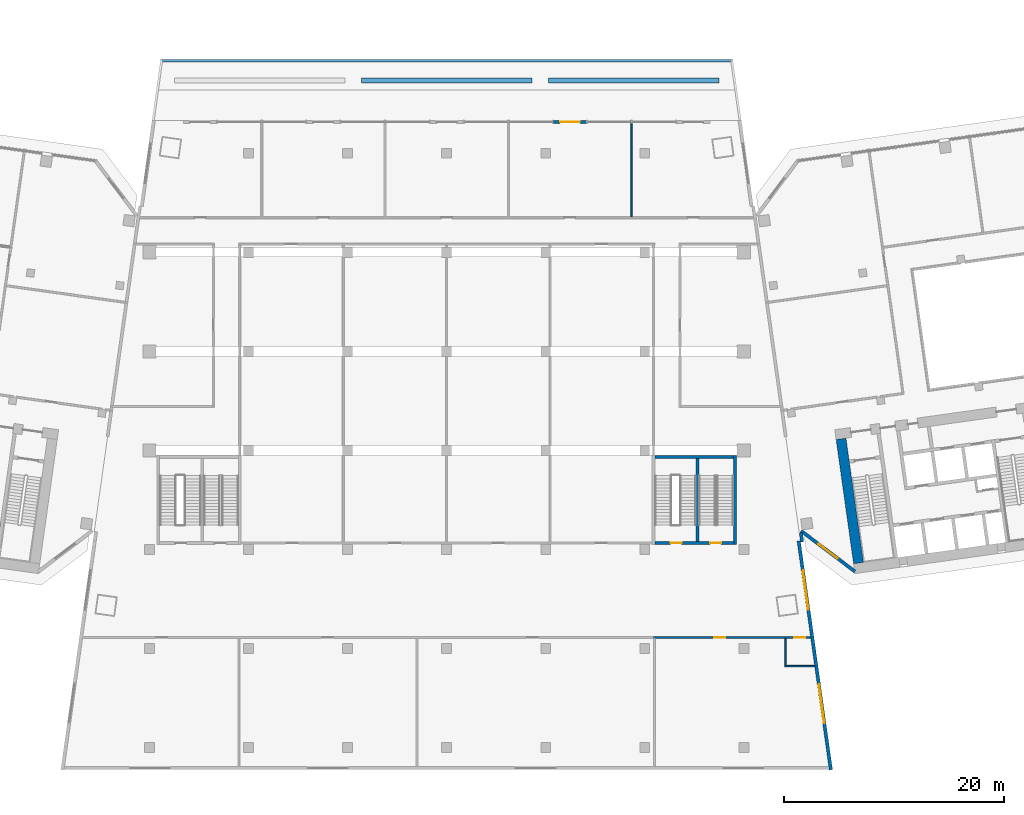
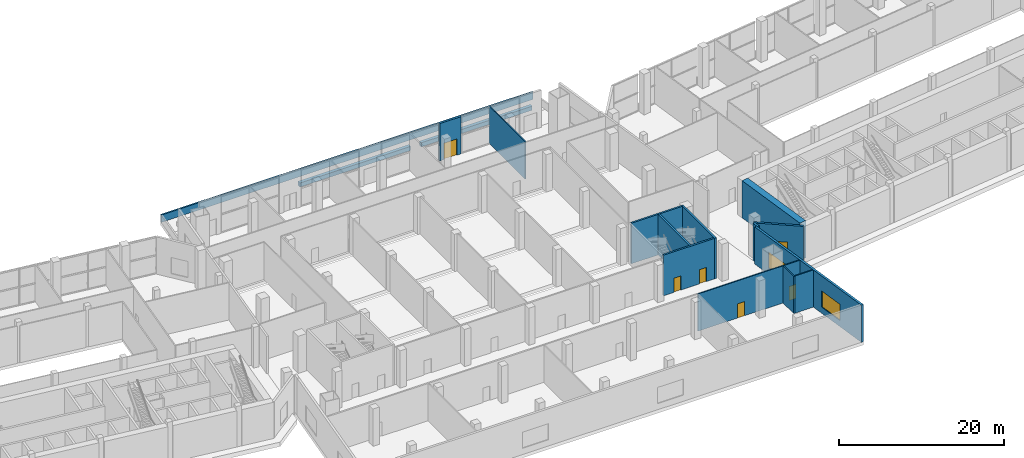
# One storey, part 15 of 24: 16 walls, 5 doors, 3 windows, 8 openings.
"""IFC4 building model written with IfcOpenShell, lengths in metres."""

from ifc_helpers import new_model, si_unit, direction, frame, frame_2d, origin, place, context, subcontext, project, spatial, rectangle, extrude, material, layer, layer_set, type_object, element, fill, save


model = new_model("IFC4")

# Units and contexts
model_context = context("Model", 3, precision=1e-05, world=origin(), true_north=direction((0.0, 1.0)))
body_context = subcontext(model_context, "Body", "Model", "MODEL_VIEW")
ifc_project = project(units=[si_unit("LENGTHUNIT", "METRE"), si_unit("AREAUNIT", "SQUARE_METRE"), si_unit("VOLUMEUNIT", "CUBIC_METRE"), si_unit("PLANEANGLEUNIT", "RADIAN"), si_unit("MASSUNIT", "GRAM", prefix="KILO")], contexts=[model_context])

# Site, building, storey
site_placement = place(None, origin())
site = spatial("IfcSite", under=ifc_project, at=site_placement, CompositionType="ELEMENT")
building_placement = place(site_placement, origin())
building = spatial("IfcBuilding", under=site, at=building_placement, Name="Mirante Cascada Hotel Towers", CompositionType="ELEMENT")
storey_placement = place(building_placement, frame((0.0, 0.0, 17.5)))
storey = spatial("IfcBuildingStorey", under=building, at=storey_placement, Name="L02", CompositionType="ELEMENT", Elevation=17.5)

# Walls
ifc_material_1 = material(Name="Masonry block", Category="masonry")
ifc_layer_1 = layer(ifc_material_1, 0.15)
ifc_layer_set_1 = layer_set([ifc_layer_1], Name="Partition 150 block")
wall_type_1 = type_object("IfcWallType", Name="Partition 150 block", PredefinedType="PARTITIONING", material=ifc_layer_set_1)
wall_1_placement = place(storey_placement, frame((16.8068, 12.225, 0.0), z_axis=(0.0, 0.0, 1.0), x_axis=(0.0, 1.0, 0.0)))
element("IfcWall", 1, at=wall_1_placement, inside=storey, type_object=wall_type_1, Name="Partition P L02", PredefinedType="PARTITIONING", context=body_context, shape_type="SweptSolid", body=[
    extrude(rectangle(XDim=8.775, YDim=0.15, at=frame_2d((4.3875, 0.0))), origin(), (0.0, 0.0, 1.0), 5.5),
])
ifc_material_2 = material(Name="Precast concrete C40/50", Category="concrete")
ifc_layer_2 = layer(ifc_material_2, 0.45)
ifc_layer_set_2 = layer_set([ifc_layer_2], Name="Planter wall 450 concrete C40/50")
wall_type_2 = type_object("IfcWallType", Name="Planter wall 450 concrete C40/50", PredefinedType="PARAPET", material=ifc_layer_set_2)
wall_2_placement = place(storey_placement, frame((-7.749, 24.6, 0.0), z_axis=(0.0, 0.0, 1.0), x_axis=(1.0, 0.0, 0.0)))
element("IfcWall", 2, at=wall_2_placement, inside=storey, type_object=wall_type_2, Name="PLANTER podium L01 bed 1.2", PredefinedType="PARAPET", context=body_context, shape_type="SweptSolid", body=[
    extrude(rectangle(XDim=15.498, YDim=0.45, at=frame_2d((7.749, 0.0))), origin(), (0.0, 0.0, 1.0), 0.6),
])
wall_3_placement = place(storey_placement, frame((9.249, 24.6, 0.0), z_axis=(0.0, 0.0, 1.0), x_axis=(1.0, 0.0, 0.0)))
element("IfcWall", 3, at=wall_3_placement, inside=storey, type_object=wall_type_2, Name="PLANTER podium L01 bed 1.3", PredefinedType="PARAPET", context=body_context, shape_type="SweptSolid", body=[
    extrude(rectangle(XDim=15.4979, YDim=0.45, at=frame_2d((7.749, 0.0))), origin(), (0.0, 0.0, 1.0), 0.6),
])

# Wall, opening, window
ifc_material_3 = material(Name="Precast concrete C40/50", Category="concrete")
ifc_layer_3 = layer(ifc_material_3, 0.3)
ifc_layer_set_3 = layer_set([ifc_layer_3], Name="Precast concrete C40/50 cladding wall 300")
wall_type_3 = type_object("IfcWallType", Name="Precast concrete C40/50 cladding wall 300", PredefinedType="STANDARD", material=ifc_layer_set_3)
wall_4_placement = place(storey_placement, frame((32.2074, -16.3138, 0.0), z_axis=(0.0, 0.0, 1.0), x_axis=(0.7986362, -0.6018141, 0.0)))
wall_4 = element("IfcWall", 4, at=wall_4_placement, inside=storey, type_object=wall_type_3, Name="Corner cladding wall T2 L02 inner rear", PredefinedType="STANDARD", context=body_context, shape_type="SweptSolid", body=[
    extrude(rectangle(XDim=6.1157, YDim=0.3, at=frame_2d((3.0578, 0.0))), origin(), (0.0, 0.0, 1.0), 5.5),
])
opening_1_placement = place(wall_4_placement, frame((1.9578, 0.0, 0.6)))
opening_1 = element("IfcOpeningElement", 5, at=opening_1_placement, cuts=wall_4, Name="Opening W2-02-05", PredefinedType="OPENING", context=body_context, shape_type="SweptSolid", body=[
    extrude(rectangle(XDim=2.2, YDim=2.4, at=frame_2d((1.1, 1.2))), frame((0.0, 0.15, 0.0), z_axis=(0.0, -1.0, 0.0), x_axis=(1.0, 0.0, 0.0)), (0.0, 0.0, 1.0), 0.3),
])
ifc_material_4 = material(Name="Aluminium frame with clear double glazing", Category="aluminium")
window_type_1 = type_object("IfcWindowType", Name="Corner suite window 2200x2400", PartitioningType="DOUBLE_PANEL_VERTICAL", PredefinedType="WINDOW", material=ifc_material_4)
window_1_placement = place(opening_1_placement, origin())
window_1 = element("IfcWindow", 6, at=window_1_placement, inside=storey, type_object=window_type_1, Name="Window W2-02-05", OverallHeight=2.4, OverallWidth=2.2, PartitioningType="SINGLE_PANEL", PredefinedType="WINDOW", context=body_context, shape_type="SweptSolid", body=[
    extrude(rectangle(XDim=2.2, YDim=2.4, at=frame_2d((1.1, 1.2))), frame((0.0, 0.03, 0.0), z_axis=(0.0, -1.0, 0.0), x_axis=(1.0, 0.0, 0.0)), (0.0, 0.0, 1.0), 0.06),
])
fill(opening_1, window_1)

# Wall, openings, windows
wall_5_placement = place(storey_placement, frame((34.911, -38.0209, 0.0), z_axis=(0.0, 0.0, 1.0), x_axis=(-0.1391749, 0.9902678, 0.0)))
wall_5 = element("IfcWall", 7, at=wall_5_placement, inside=storey, type_object=wall_type_3, Name="Podium cladding wall L02 P:L02:2", PredefinedType="STANDARD", context=body_context, shape_type="SweptSolid", body=[
    extrude(rectangle(XDim=21.0052, YDim=0.3, at=frame_2d((10.5026, 0.0))), origin(), (0.0, 0.0, 1.0), 5.5),
])
opening_2_placement = place(wall_5_placement, frame((4.259, 0.0, 0.9)))
opening_2 = element("IfcOpeningElement", 8, at=opening_2_placement, cuts=wall_5, Name="Opening WP-02-05", PredefinedType="OPENING", context=body_context, shape_type="SweptSolid", body=[
    extrude(rectangle(XDim=3.6, YDim=2.4, at=frame_2d((1.8, 1.2))), frame((0.0, 0.15, 0.0), z_axis=(0.0, -1.0, 0.0), x_axis=(1.0, 0.0, 0.0)), (0.0, 0.0, 1.0), 0.3),
])
opening_3_placement = place(wall_5_placement, frame((14.7059, 0.0, 0.9)))
opening_3 = element("IfcOpeningElement", 9, at=opening_3_placement, cuts=wall_5, Name="Opening WP-02-06", PredefinedType="OPENING", context=body_context, shape_type="SweptSolid", body=[
    extrude(rectangle(XDim=3.6, YDim=2.4, at=frame_2d((1.8, 1.2))), frame((0.0, 0.15, 0.0), z_axis=(0.0, -1.0, 0.0), x_axis=(1.0, 0.0, 0.0)), (0.0, 0.0, 1.0), 0.3),
])
ifc_material_5 = material(Name="Aluminium frame with clear double glazing", Category="aluminium")
window_type_2 = type_object("IfcWindowType", Name="Podium punched window 3600x2400", PartitioningType="DOUBLE_PANEL_VERTICAL", PredefinedType="WINDOW", material=ifc_material_5)
window_2_placement = place(opening_2_placement, origin())
window_2 = element("IfcWindow", 10, at=window_2_placement, inside=storey, type_object=window_type_2, Name="Window WP-02-05", OverallHeight=2.4, OverallWidth=3.6, PartitioningType="SINGLE_PANEL", PredefinedType="WINDOW", context=body_context, shape_type="SweptSolid", body=[
    extrude(rectangle(XDim=3.6, YDim=2.4, at=frame_2d((1.8, 1.2))), frame((0.0, 0.03, 0.0), z_axis=(0.0, -1.0, 0.0), x_axis=(1.0, 0.0, 0.0)), (0.0, 0.0, 1.0), 0.06),
])
fill(opening_2, window_2)
window_3_placement = place(opening_3_placement, origin())
window_3 = element("IfcWindow", 11, at=window_3_placement, inside=storey, type_object=window_type_2, Name="Window WP-02-06", OverallHeight=2.4, OverallWidth=3.6, PartitioningType="SINGLE_PANEL", PredefinedType="WINDOW", context=body_context, shape_type="SweptSolid", body=[
    extrude(rectangle(XDim=3.6, YDim=2.4, at=frame_2d((1.8, 1.2))), frame((0.0, 0.03, 0.0), z_axis=(0.0, -1.0, 0.0), x_axis=(1.0, 0.0, 0.0)), (0.0, 0.0, 1.0), 0.06),
])
fill(opening_3, window_3)

# Wall, opening, door
wall_6_placement = place(storey_placement, frame((12.705, 20.85, 0.0), z_axis=(0.0, 0.0, 1.0), x_axis=(-1.0, 0.0, 0.0)))
wall_6 = element("IfcWall", 12, at=wall_6_placement, inside=storey, type_object=wall_type_3, Name="Entrance pier wall L02 P:L02:4:3", PredefinedType="STANDARD", context=body_context, shape_type="SweptSolid", body=[
    extrude(rectangle(XDim=3.0, YDim=0.3, at=frame_2d((1.5, 0.0))), origin(), (0.0, 0.0, 1.0), 5.5),
])
opening_4_placement = place(wall_6_placement, frame((0.6, 0.0, 0.0)))
opening_4 = element("IfcOpeningElement", 13, at=opening_4_placement, cuts=wall_6, Name="Opening DP-02-92", PredefinedType="OPENING", context=body_context, shape_type="SweptSolid", body=[
    extrude(rectangle(XDim=1.8, YDim=2.4, at=frame_2d((0.9, 1.2))), frame((0.0, 0.15, 0.0), z_axis=(0.0, -1.0, 0.0), x_axis=(1.0, 0.0, 0.0)), (0.0, 0.0, 1.0), 0.3),
])
ifc_material_6 = material(Name="Aluminium frame with clear laminated glazing", Category="aluminium")
door_type_1 = type_object("IfcDoorType", Name="Terrace double door 1800x2400", OperationType="DOUBLE_DOOR_SINGLE_SWING", PredefinedType="DOOR", material=ifc_material_6)
door_1_placement = place(opening_4_placement, origin())
door_1 = element("IfcDoor", 14, at=door_1_placement, inside=storey, type_object=door_type_1, Name="Meeting room door DP-02-92", OperationType="DOUBLE_DOOR_SINGLE_SWING", OverallHeight=2.4, OverallWidth=1.8, PredefinedType="DOOR", context=body_context, shape_type="SweptSolid", body=[
    extrude(rectangle(XDim=0.895, YDim=2.4, at=frame_2d((0.4475, 1.2))), frame((0.0, 0.025, 0.0), z_axis=(0.0, -1.0, 0.0), x_axis=(1.0, 0.0, 0.0)), (0.0, 0.0, 1.0), 0.05),
    extrude(rectangle(XDim=0.895, YDim=2.4, at=frame_2d((1.3525, 1.2))), frame((0.0, 0.025, 0.0), z_axis=(0.0, -1.0, 0.0), x_axis=(1.0, 0.0, 0.0)), (0.0, 0.0, 1.0), 0.05),
])
fill(opening_4, door_1)

# Walls
wall_7_placement = place(storey_placement, frame((32.1838, -16.4609, 0.0), z_axis=(0.0, 0.0, 1.0), x_axis=(0.1391437, -0.9902722, 0.0)))
element("IfcWall", 15, at=wall_7_placement, inside=storey, type_object=wall_type_3, Name="Corner closure wall L02 2.1", PredefinedType="STANDARD", context=body_context, shape_type="SweptSolid", body=[
    extrude(rectangle(XDim=0.8545, YDim=0.3, at=frame_2d((0.4272, 0.0))), origin(), (0.0, 0.0, 1.0), 5.5),
])
ifc_material_7 = material(Name="Concrete C50/60", Category="concrete")
ifc_layer_4 = layer(ifc_material_7, 0.9)
ifc_layer_set_4 = layer_set([ifc_layer_4], Name="RC core wall 900 C50/60")
wall_type_4 = type_object("IfcWallType", Name="RC core wall 900 C50/60", PredefinedType="SHEAR", material=ifc_layer_set_4)
wall_8_placement = place(storey_placement, frame((37.4209, -19.2349, 0.0), z_axis=(0.0, 0.0, 1.0), x_axis=(-0.1391761, 0.9902677, 0.0)))
element("IfcWall", 16, at=wall_8_placement, inside=storey, type_object=wall_type_4, Name="Core wall T2:L02:3", PredefinedType="SHEAR", context=body_context, shape_type="SweptSolid", body=[
    extrude(rectangle(XDim=11.3999, YDim=0.9, at=frame_2d((5.7, 0.0))), origin(), (0.0, 0.0, 1.0), 5.5),
])

# Wall, openings, doors
ifc_material_8 = material(Name="Concrete C35/45", Category="concrete")
ifc_layer_5 = layer(ifc_material_8, 0.25)
ifc_layer_set_5 = layer_set([ifc_layer_5], Name="Stair wall 250 concrete C35/45 EI 120")
wall_type_5 = type_object("IfcWallType", Name="Stair wall 250 concrete C35/45 EI 120", PredefinedType="STANDARD", material=ifc_layer_set_5)
wall_9_placement = place(storey_placement, frame((18.915, -17.4, 0.0), z_axis=(0.0, 0.0, 1.0), x_axis=(1.0, 0.0, 0.0)))
wall_9 = element("IfcWall", 17, at=wall_9_placement, inside=storey, type_object=wall_type_5, Name="Stair wall P L02", PredefinedType="STANDARD", context=body_context, shape_type="SweptSolid", body=[
    extrude(rectangle(XDim=7.17, YDim=0.25, at=frame_2d((3.585, 0.0))), origin(), (0.0, 0.0, 1.0), 6.0),
])
opening_5_placement = place(wall_9_placement, frame((5.0275, 0.0, 0.0)))
opening_5 = element("IfcOpeningElement", 18, at=opening_5_placement, cuts=wall_9, Name="Opening DP-L02-03", PredefinedType="OPENING", context=body_context, shape_type="SweptSolid", body=[
    extrude(rectangle(XDim=1.0, YDim=2.1, at=frame_2d((0.5, 1.05))), frame((0.0, 0.125, 0.0), z_axis=(0.0, -1.0, 0.0), x_axis=(1.0, 0.0, 0.0)), (0.0, 0.0, 1.0), 0.25),
])
opening_6_placement = place(wall_9_placement, frame((1.4425, 0.0, 0.0)))
opening_6 = element("IfcOpeningElement", 19, at=opening_6_placement, cuts=wall_9, Name="Opening DP-L02-04", PredefinedType="OPENING", context=body_context, shape_type="SweptSolid", body=[
    extrude(rectangle(XDim=1.0, YDim=2.1, at=frame_2d((0.5, 1.05))), frame((0.0, 0.125, 0.0), z_axis=(0.0, -1.0, 0.0), x_axis=(1.0, 0.0, 0.0)), (0.0, 0.0, 1.0), 0.25),
])
ifc_material_9 = material(Name="Hollow metal fire door leaf")
door_type_2 = type_object("IfcDoorType", Name="Fire door 1000x2100 FD60", OperationType="NOTDEFINED", PredefinedType="DOOR", material=ifc_material_9)
door_2_placement = place(opening_5_placement, origin())
door_2 = element("IfcDoor", 20, at=door_2_placement, inside=storey, type_object=door_type_2, Name="Door DP-L02-03", OperationType="SINGLE_SWING_LEFT", OverallHeight=2.1, OverallWidth=1.0, PredefinedType="DOOR", context=body_context, shape_type="SweptSolid", body=[
    extrude(rectangle(XDim=1.0, YDim=2.1, at=frame_2d((0.5, 1.05))), frame((0.0, 0.025, 0.0), z_axis=(0.0, -1.0, 0.0), x_axis=(1.0, 0.0, 0.0)), (0.0, 0.0, 1.0), 0.05),
])
fill(opening_5, door_2)
door_3_placement = place(opening_6_placement, origin())
door_3 = element("IfcDoor", 21, at=door_3_placement, inside=storey, type_object=door_type_2, Name="Door DP-L02-04", OperationType="SINGLE_SWING_RIGHT", OverallHeight=2.1, OverallWidth=1.0, PredefinedType="DOOR", context=body_context, shape_type="SweptSolid", body=[
    extrude(rectangle(XDim=1.0, YDim=2.1, at=frame_2d((0.5, 1.05))), frame((0.0, 0.025, 0.0), z_axis=(0.0, -1.0, 0.0), x_axis=(1.0, 0.0, 0.0)), (0.0, 0.0, 1.0), 0.05),
])
fill(opening_6, door_3)

# Walls
wall_10_placement = place(storey_placement, frame((18.925, -9.6, 0.0), z_axis=(0.0, 0.0, 1.0), x_axis=(1.0, 0.0, 0.0)))
element("IfcWall", 22, at=wall_10_placement, inside=storey, type_object=wall_type_5, Name="Stair wall P L02", PredefinedType="STANDARD", context=body_context, shape_type="SweptSolid", body=[
    extrude(rectangle(XDim=7.15, YDim=0.25, at=frame_2d((3.575, 0.0))), origin(), (0.0, 0.0, 1.0), 6.0),
])
wall_11_placement = place(storey_placement, frame((26.2, -17.525, 0.0), z_axis=(0.0, 0.0, 1.0), x_axis=(0.0, 1.0, 0.0)))
element("IfcWall", 23, at=wall_11_placement, inside=storey, type_object=wall_type_5, Name="Stair wall P L02", PredefinedType="STANDARD", context=body_context, shape_type="SweptSolid", body=[
    extrude(rectangle(XDim=8.05, YDim=0.25, at=frame_2d((4.025, 0.0))), origin(), (0.0, 0.0, 1.0), 6.0),
])
wall_12_placement = place(storey_placement, frame((22.8, -17.275, 0.0), z_axis=(0.0, 0.0, 1.0), x_axis=(0.0, 1.0, 0.0)))
element("IfcWall", 24, at=wall_12_placement, inside=storey, type_object=wall_type_5, Name="Stair wall P L02", PredefinedType="STANDARD", context=body_context, shape_type="SweptSolid", body=[
    extrude(rectangle(XDim=7.55, YDim=0.25, at=frame_2d((3.775, 0.0))), origin(), (0.0, 0.0, 1.0), 6.0),
])
ifc_material_10 = material(Name="Precast concrete C40/50", Category="concrete")
ifc_layer_6 = layer(ifc_material_10, 0.2)
ifc_layer_set_6 = layer_set([ifc_layer_6], Name="Terrace parapet wall 200 concrete C40/50")
wall_type_6 = type_object("IfcWallType", Name="Terrace parapet wall 200 concrete C40/50", PredefinedType="PARAPET", material=ifc_layer_set_6)
wall_13_placement = place(storey_placement, frame((25.9946, 26.4, 0.0), z_axis=(0.0, 0.0, 1.0), x_axis=(-1.0, 0.0, 0.0)))
element("IfcWall", 25, at=wall_13_placement, inside=storey, type_object=wall_type_6, Name="Terrace parapet podium L01 1.3.1", PredefinedType="PARAPET", context=body_context, shape_type="SweptSolid", body=[
    extrude(rectangle(XDim=51.9892, YDim=0.2, at=frame_2d((25.9946, 0.0))), origin(), (0.0, 0.0, 1.0), 1.1),
])
ifc_material_11 = material(Name="Masonry block", Category="masonry")
ifc_layer_7 = layer(ifc_material_11, 0.15)
ifc_layer_set_7 = layer_set([ifc_layer_7], Name="Wet room wall 150 block")
wall_type_7 = type_object("IfcWallType", Name="Wet room wall 150 block", PredefinedType="PARTITIONING", material=ifc_layer_set_7)
wall_14_placement = place(storey_placement, frame((30.848, -28.6, 0.0), z_axis=(0.0, 0.0, 1.0), x_axis=(1.0, 0.0, 0.0)))
element("IfcWall", 26, at=wall_14_placement, inside=storey, type_object=wall_type_7, Name="Wet room wall P L02", PredefinedType="PARTITIONING", context=body_context, shape_type="SweptSolid", body=[
    extrude(rectangle(XDim=2.5875, YDim=0.15, at=frame_2d((1.2938, 0.0))), origin(), (0.0, 0.0, 1.0), 5.5),
])

# Wall, openings, doors
wall_15_placement = place(storey_placement, frame((18.7932, -26.0, 0.0), z_axis=(0.0, 0.0, 1.0), x_axis=(1.0, 0.0, 0.0)))
wall_15 = element("IfcWall", 27, at=wall_15_placement, inside=storey, type_object=wall_type_7, Name="Wet room wall P L02", PredefinedType="PARTITIONING", context=body_context, shape_type="SweptSolid", body=[
    extrude(rectangle(XDim=14.2769, YDim=0.15, at=frame_2d((7.1384, 0.0))), origin(), (0.0, 0.0, 1.0), 5.5),
])
opening_7_placement = place(wall_15_placement, frame((5.5324, 0.0, 0.0)))
opening_7 = element("IfcOpeningElement", 28, at=opening_7_placement, cuts=wall_15, Name="Opening DP-L02-16", PredefinedType="OPENING", context=body_context, shape_type="SweptSolid", body=[
    extrude(rectangle(XDim=1.0, YDim=2.1, at=frame_2d((0.5, 1.05))), frame((0.0, 0.075, 0.0), z_axis=(0.0, -1.0, 0.0), x_axis=(1.0, 0.0, 0.0)), (0.0, 0.0, 1.0), 0.15),
])
opening_8_placement = place(wall_15_placement, frame((12.7798, 0.0, 0.0)))
opening_8 = element("IfcOpeningElement", 29, at=opening_8_placement, cuts=wall_15, Name="Opening DP-L02-22", PredefinedType="OPENING", context=body_context, shape_type="SweptSolid", body=[
    extrude(rectangle(XDim=1.0, YDim=2.1, at=frame_2d((0.5, 1.05))), frame((0.0, 0.075, 0.0), z_axis=(0.0, -1.0, 0.0), x_axis=(1.0, 0.0, 0.0)), (0.0, 0.0, 1.0), 0.15),
])
ifc_material_12 = material(Name="Timber door leaf", Category="wood")
door_type_3 = type_object("IfcDoorType", Name="Single door 1000x2100", OperationType="NOTDEFINED", PredefinedType="DOOR", material=ifc_material_12)
door_4_placement = place(opening_7_placement, frame((1.0, 0.0, 0.0), z_axis=(0.0, 0.0, 1.0), x_axis=(-1.0, 0.0, 0.0)))
door_4 = element("IfcDoor", 30, at=door_4_placement, inside=storey, type_object=door_type_3, Name="Door DP-L02-16", OperationType="SINGLE_SWING_RIGHT", OverallHeight=2.1, OverallWidth=1.0, PredefinedType="DOOR", context=body_context, shape_type="SweptSolid", body=[
    extrude(rectangle(XDim=1.0, YDim=2.1, at=frame_2d((0.5, 1.05))), frame((0.0, 0.025, 0.0), z_axis=(0.0, -1.0, 0.0), x_axis=(1.0, 0.0, 0.0)), (0.0, 0.0, 1.0), 0.05),
])
fill(opening_7, door_4)
door_5_placement = place(opening_8_placement, frame((1.0, 0.0, 0.0), z_axis=(0.0, 0.0, 1.0), x_axis=(-1.0, 0.0, 0.0)))
door_5 = element("IfcDoor", 31, at=door_5_placement, inside=storey, type_object=door_type_3, Name="Door DP-L02-22", OperationType="SINGLE_SWING_RIGHT", OverallHeight=2.1, OverallWidth=1.0, PredefinedType="DOOR", context=body_context, shape_type="SweptSolid", body=[
    extrude(rectangle(XDim=1.0, YDim=2.1, at=frame_2d((0.5, 1.05))), frame((0.0, 0.025, 0.0), z_axis=(0.0, -1.0, 0.0), x_axis=(1.0, 0.0, 0.0)), (0.0, 0.0, 1.0), 0.05),
])
fill(opening_8, door_5)

# Wall
wall_16_placement = place(storey_placement, frame((30.773, -28.675, 0.0), z_axis=(0.0, 0.0, 1.0), x_axis=(0.0, 1.0, 0.0)))
element("IfcWall", 32, at=wall_16_placement, inside=storey, type_object=wall_type_7, Name="Wet room wall P L02", PredefinedType="PARTITIONING", context=body_context, shape_type="SweptSolid", body=[
    extrude(rectangle(XDim=2.6, YDim=0.15, at=frame_2d((1.3, 0.0))), origin(), (0.0, 0.0, 1.0), 5.5),
])

save(model, "model.ifc")
